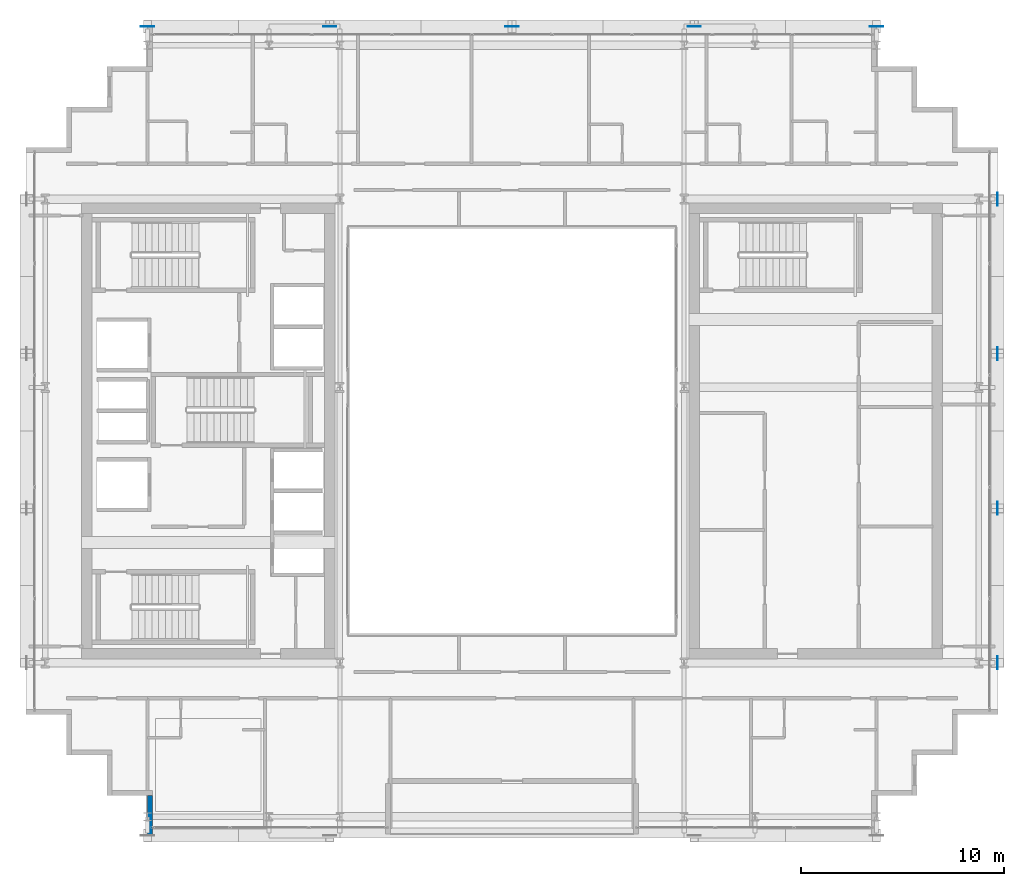
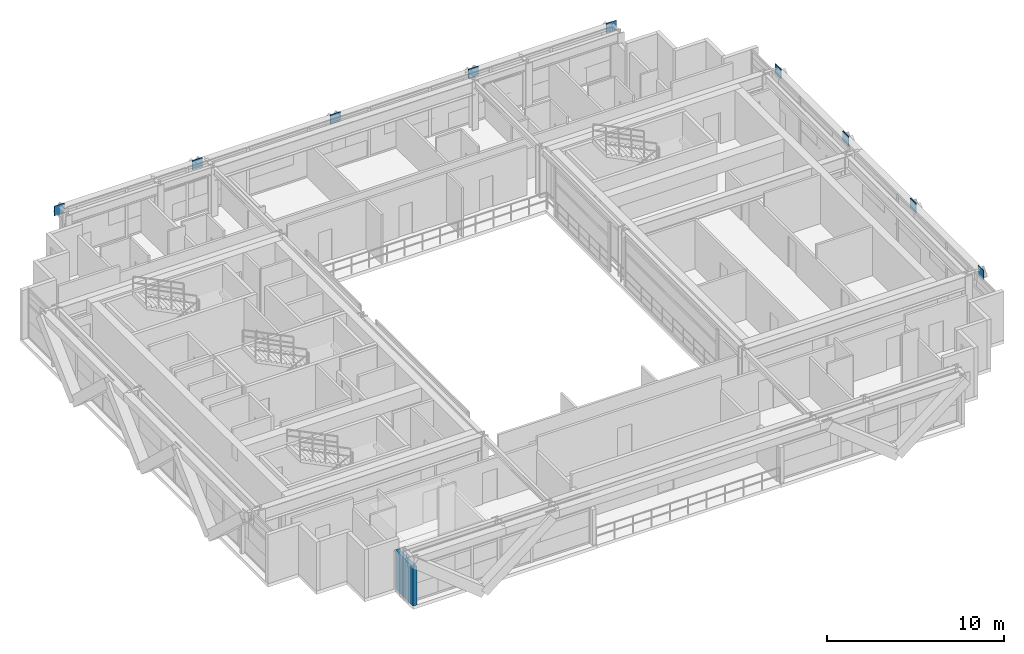
# One storey, part 28 of 37: 9 plates, 1 wall.
"""IFC4 building model written with IfcOpenShell, lengths in metres."""

from ifc_helpers import new_model, si_unit, direction, frame, frame_2d, origin, origin_2d, place, context, subcontext, project, spatial, rectangle, extrude, source, transform, mapped, material, layer, layer_set, type_object, element, save


model = new_model("IFC4")

# Units and contexts
model_context = context("Model", 3, precision=1e-05, world=origin(), true_north=direction((0.0, 1.0)))
body_context = subcontext(model_context, "Body", "Model", "MODEL_VIEW")
ifc_project = project(units=[si_unit("LENGTHUNIT", "METRE"), si_unit("AREAUNIT", "SQUARE_METRE"), si_unit("VOLUMEUNIT", "CUBIC_METRE"), si_unit("PLANEANGLEUNIT", "RADIAN"), si_unit("MASSUNIT", "GRAM", prefix="KILO")], contexts=[model_context])

# Site, building, storey
site_placement = place(None, origin())
site = spatial("IfcSite", under=ifc_project, at=site_placement, CompositionType="ELEMENT")
building_placement = place(site_placement, origin())
building = spatial("IfcBuilding", under=site, at=building_placement, Name="Ocotamira Hotel", CompositionType="ELEMENT")
storey_placement = place(building_placement, frame((0.0, 0.0, 192.0)))
storey = spatial("IfcBuildingStorey", under=building, at=storey_placement, Name="L48", CompositionType="ELEMENT", Elevation=192.0)

# Plates
ifc_material_1 = material(Name="Pale-metal coated steel ASTM A572 Grade 50", Category="steel")
ifc_layer_1 = layer(ifc_material_1, 0.0400390625)
ifc_layer_set_1 = layer_set([ifc_layer_1], Name="Pale-metal coated steel ASTM A572 Grade 50")
plate_type = type_object("IfcPlateType", Name="PLT-GUSSET-40", PredefinedType="SHEET", material=ifc_layer_set_1)
shared_shape_1 = source(origin(), body_context, "Body", "SweptSolid", [
    extrude(rectangle(XDim=0.64990234375, YDim=0.0400390625, at=origin_2d()), origin(), (0.0, 0.0, 1.0), 0.64990234375),
])
for number, where, z_axis, x_axis, name in (
    (1, (14.0, 45.969970703125, 2.795166015625), (0.0, 0.0, 1.0), (-1.0, 0.0, 0.0), "L48 Exoskeleton Diagrid N0.1 End Gusset B"),
    (2, (23.0, 45.969970703125, 2.795166015625), (0.0, 0.0, 1.0), (1.0, 0.0, 0.0), "L48 Exoskeleton Diagrid N0.2 End Gusset B"),
    (3, (32.0, 45.969970703125, 2.795166015625), (0.0, 0.0, 1.0), (1.0, 0.0, 0.0), "L48 Exoskeleton Diagrid N1.2 End Gusset B"),
    (4, (41.0, 45.969970703125, 2.795166015625), (0.0, 0.0, 1.0), (1.0, 0.0, 0.0), "L48 Exoskeleton Diagrid N2.2 End Gusset B"),
    (5, (50.0, 45.969970703125, 2.795166015625), (0.0, 0.0, 1.0), (1.0, 0.0, 0.0), "L48 Exoskeleton Diagrid N3.2 End Gusset B"),
):
    element("IfcPlate", number, at=place(storey_placement, frame(where, z_axis=z_axis, x_axis=x_axis)), inside=storey, type_object=plate_type, Name=name, PredefinedType="SHEET", context=body_context, shape_type="MappedRepresentation", body=[
        mapped(shared_shape_1, transform((0.0, 0.0, 0.0), scale=1.0)),
    ])
shared_shape_2 = source(origin(), body_context, "Body", "SweptSolid", [
    extrude(rectangle(XDim=0.0400390625, YDim=0.64990234375, at=origin_2d()), origin(), (0.0, 0.0, 1.0), 0.64990234375),
])
for number, where, z_axis, x_axis, name in (
    (6, (55.969970703125, 14.550048828125, 2.795166015625), (0.0, 0.0, 1.0), (1.0, 0.0, 0.0), "L48 Exoskeleton Diagrid E0.1 End Gusset B"),
    (7, (55.969970703125, 22.183349609375, 2.795166015625), (0.0, 0.0, 1.0), (1.0, 0.0, 0.0), "L48 Exoskeleton Diagrid E0.2 End Gusset B"),
    (8, (55.969970703125, 29.816650390625, 2.795166015625), (0.0, 0.0, 1.0), (1.0, 0.0, 0.0), "L48 Exoskeleton Diagrid E1.2 End Gusset B"),
    (9, (55.969970703125, 37.449951171875, 2.795166015625), (0.0, 0.0, 1.0), (1.0, 0.0, 0.0), "L48 Exoskeleton Diagrid E2.2 End Gusset B"),
):
    element("IfcPlate", number, at=place(storey_placement, frame(where, z_axis=z_axis, x_axis=x_axis)), inside=storey, type_object=plate_type, Name=name, PredefinedType="SHEET", context=body_context, shape_type="MappedRepresentation", body=[
        mapped(shared_shape_2, transform((0.0, 0.0, 0.0), scale=1.0)),
    ])

# Wall
ifc_material_2 = material(Name="Precast concrete C45/55", Category="concrete")
ifc_layer_2 = layer(ifc_material_2, 0.25)
ifc_layer_set_2 = layer_set([ifc_layer_2], Name="Precast concrete C45/55")
wall_type = type_object("IfcWallType", Name="WL-EXT-SER-250", PredefinedType="SOLIDWALL", material=ifc_layer_set_2)
wall_placement = place(storey_placement, frame((14.125, 8.0, 0.0), z_axis=(0.0, 0.0, 1.0), x_axis=(0.0, -1.0, 0.0)))
element("IfcWall", 10, at=wall_placement, inside=storey, type_object=wall_type, Name="L48 Serrated Corner Wall 24", PredefinedType="SOLIDWALL", context=body_context, shape_type="SweptSolid", body=[
    extrude(rectangle(XDim=2.0, YDim=0.25, at=frame_2d((1.0, 0.0))), origin(), (0.0, 0.0, 1.0), 2.677001953125),
])

save(model, "model.ifc")
